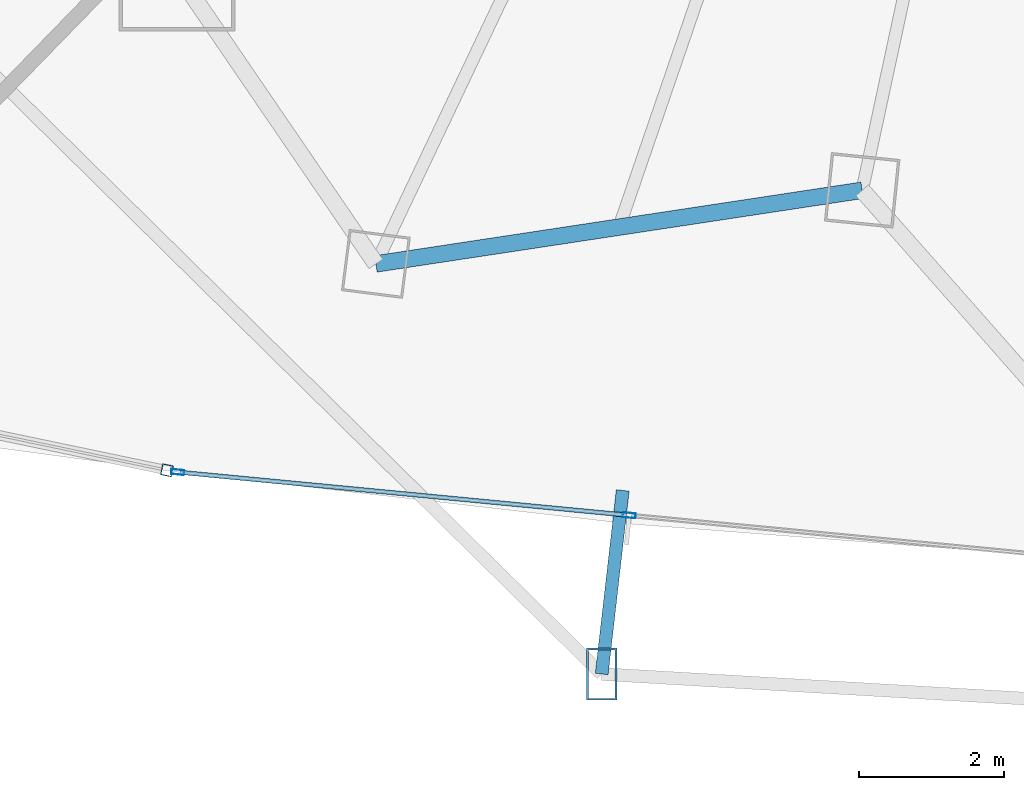
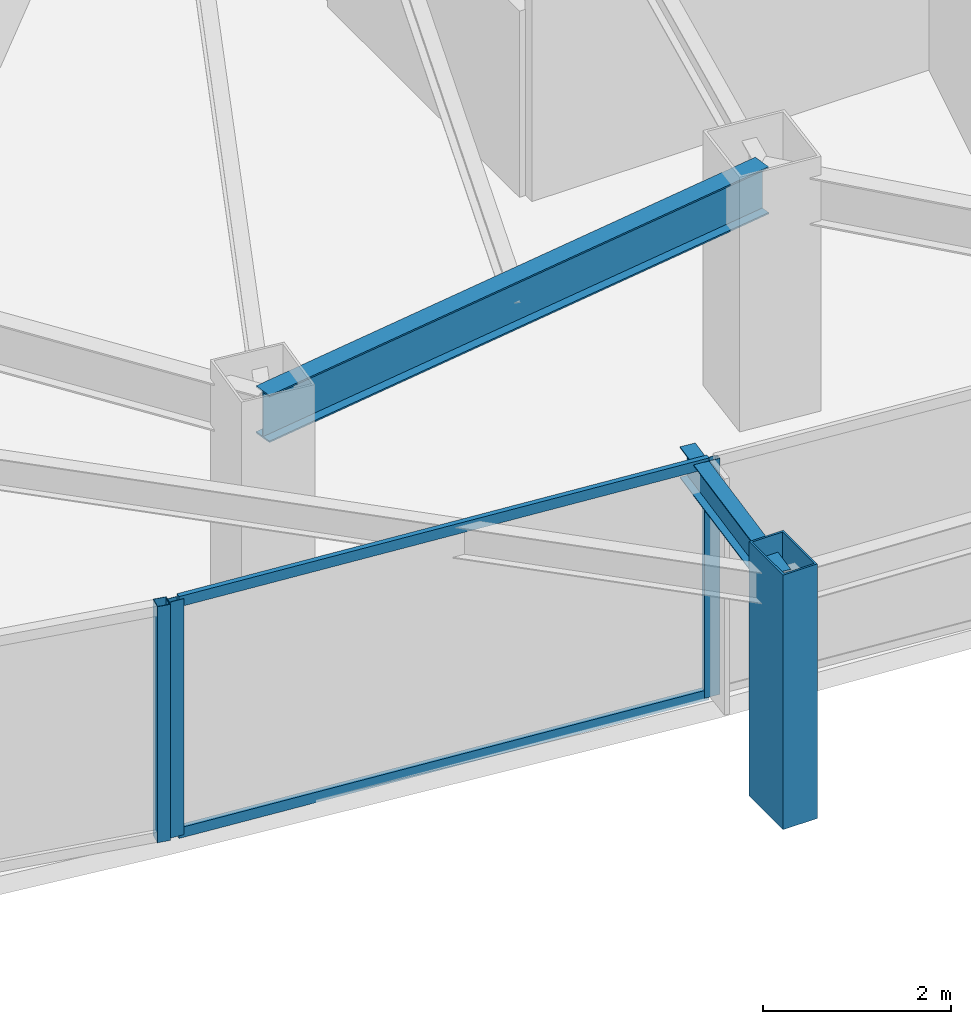
# One storey, part 4 of 33: 6 members, 2 beams, 2 elements without a shape of their own.
"""IFC4 building model written with IfcOpenShell, lengths in metres."""

from ifc_helpers import new_model, si_unit, direction, frame, origin, origin_2d, place, context, subcontext, project, spatial, hollow_rectangle, i_section, extrude, material, layer, layer_set, material_profile, profile_set, type_object, element, aggregate, save


model = new_model("IFC4")

# Units and contexts
model_context = context("Model", 3, precision=1e-05, world=origin(), true_north=direction((0.0, 1.0)))
body_context = subcontext(model_context, "Body", "Model", "MODEL_VIEW")
ifc_project = project(units=[si_unit("LENGTHUNIT", "METRE"), si_unit("AREAUNIT", "SQUARE_METRE"), si_unit("VOLUMEUNIT", "CUBIC_METRE"), si_unit("PLANEANGLEUNIT", "RADIAN"), si_unit("MASSUNIT", "GRAM", prefix="KILO")], contexts=[model_context])

# Site, building, storey
site_placement = place(None, origin())
site = spatial("IfcSite", under=ifc_project, at=site_placement, CompositionType="ELEMENT")
building_placement = place(site_placement, origin())
building = spatial("IfcBuilding", under=site, at=building_placement, Name="Orvanel Arch Residences", CompositionType="ELEMENT")
storey_placement = place(building_placement, frame((0.0, 0.0, 84.050048828125)))
storey = spatial("IfcBuildingStorey", under=building, at=storey_placement, Name="L23", CompositionType="ELEMENT", Elevation=84.050048828125)

# Member
ifc_material_1 = material(Name="Structural steel AS/NZS 3678 Grade 350", Category="steel")
ifc_material_profile_1 = material_profile(ifc_material_1, hollow_rectangle(XDim=0.419921875, YDim=0.719970703125, WallThickness=0.02490234375, at=origin_2d()), Name="RHS720x420x25")
ifc_profile_set_1 = profile_set([ifc_material_profile_1], Name="Structural steel AS/NZS 3678 Grade 350")
member_type_1 = type_object("IfcMemberType", Name="CH-720RHS-EXT", PredefinedType="CHORD", material=ifc_profile_set_1)
member_1_placement = place(storey_placement, frame((20.055908203125, 0.681884765625, 0.0), z_axis=(0.0, 0.0, 1.0), x_axis=(1.0, 0.0, 0.0)))
element("IfcMember", 1, at=member_1_placement, inside=storey, type_object=member_type_1, Name="L23 Outer Perimeter Frame Post 05", PredefinedType="CHORD", context=body_context, shape_type="SweptSolid", body=[
    extrude(hollow_rectangle(XDim=0.419921875, YDim=0.719970703125, WallThickness=0.02490234375, at=origin_2d()), origin(), (0.0, 0.0, 1.0), 3.300048828125),
])

# Curtain wall, member
ifc_material_2 = material(Name="Bronze-anodised aluminium AA6063-T6", Category="aluminium")
ifc_layer_1 = layer(ifc_material_2, 0.18994140625)
ifc_layer_set_1 = layer_set([ifc_layer_1], Name="Bronze-anodised aluminium AA6063-T6")
curtain_wall_type_1 = type_object("IfcCurtainWallType", Name="CW5-CRN-SYS", PredefinedType="NOTDEFINED", material=ifc_layer_set_1)
curtain_wall_1_placement = place(storey_placement, origin())
curtain_wall_1 = element("IfcCurtainWall", 2, at=curtain_wall_1_placement, inside=storey, type_object=curtain_wall_type_1, Name="L23 CW5-CRN-SYS Unitised Curtain Wall", PredefinedType="NOTDEFINED")
ifc_material_profile_2 = material_profile(ifc_material_2, hollow_rectangle(XDim=0.14990234375, YDim=0.14990234375, WallThickness=0.0048828125, at=origin_2d()), Name="ALU150x150x5")
ifc_profile_set_2 = profile_set([ifc_material_profile_2], Name="Bronze-anodised aluminium AA6063-T6")
member_type_2 = type_object("IfcMemberType", Name="MUL-150x150", PredefinedType="MULLION", material=ifc_profile_set_2)
member_2_placement = place(storey_placement, frame((14.0595703125, 3.492431640625, 0.0), z_axis=(0.0, 0.0, 1.0), x_axis=(0.204281556473, 0.978912174653, 0.0)))
member_2 = element("IfcMember", 3, at=member_2_placement, type_object=member_type_2, Name="CW-S5 mullion 3", PredefinedType="MULLION", context=body_context, shape_type="SweptSolid", body=[
    extrude(hollow_rectangle(XDim=0.14990234375, YDim=0.14990234375, WallThickness=0.0048828125, at=origin_2d()), origin(), (0.0, 0.0, 1.0), 3.06005859375),
])
aggregate(curtain_wall_1, [member_2])

# Curtain wall, members
ifc_layer_2 = layer(ifc_material_2, 0.179931640625)
ifc_layer_set_2 = layer_set([ifc_layer_2], Name="Bronze-anodised aluminium AA6063-T6")
curtain_wall_type_2 = type_object("IfcCurtainWallType", Name="CW2-LOW-SYS", PredefinedType="NOTDEFINED", material=ifc_layer_set_2)
curtain_wall_2_placement = place(storey_placement, origin())
curtain_wall_2 = element("IfcCurtainWall", 4, at=curtain_wall_2_placement, inside=storey, type_object=curtain_wall_type_2, Name="L23 CW2-LOW-SYS Unitised Curtain Wall", PredefinedType="NOTDEFINED")
ifc_material_profile_3 = material_profile(ifc_material_2, hollow_rectangle(XDim=0.070068359375, YDim=0.179931640625, WallThickness=0.00439453125, at=origin_2d()), Name="ALU180x70x4.5")
ifc_profile_set_3 = profile_set([ifc_material_profile_3], Name="Bronze-anodised aluminium AA6063-T6")
member_type_3 = type_object("IfcMemberType", Name="MUL-180x70", PredefinedType="MULLION", material=ifc_profile_set_3)
member_3_placement = place(storey_placement, frame((14.207763671875, 3.4677734375, 0.0), z_axis=(0.0, 0.0, 1.0), x_axis=(0.095292908754, 0.995449276227, 0.0)))
member_3 = element("IfcMember", 5, at=member_3_placement, type_object=member_type_3, Name="CW-S2 mullion 1", PredefinedType="MULLION", context=body_context, shape_type="SweptSolid", body=[
    extrude(hollow_rectangle(XDim=0.070068359375, YDim=0.179931640625, WallThickness=0.00439453125, at=origin_2d()), origin(), (0.0, 0.0, 1.0), 3.06005859375),
])
member_4_placement = place(storey_placement, frame((20.435546875, 2.87158203125, 0.0), z_axis=(0.0, 0.0, 1.0), x_axis=(0.095292908754, 0.995449276227, 0.0)))
member_4 = element("IfcMember", 6, at=member_4_placement, type_object=member_type_3, Name="CW-S2 mullion 2", PredefinedType="MULLION", context=body_context, shape_type="SweptSolid", body=[
    extrude(hollow_rectangle(XDim=0.070068359375, YDim=0.179931640625, WallThickness=0.00439453125, at=origin_2d()), origin(), (0.0, 0.0, 1.0), 3.06005859375),
])

# Beams
ifc_material_3 = material(Name="Structural steel AS/NZS 3679.1 Grade 300 (300 MPa)", Category="steel")
ifc_material_profile_4 = material_profile(ifc_material_3, i_section(OverallWidth=0.177978515625, OverallDepth=0.406005859375, WebThickness=0.0078125, FlangeThickness=0.0126953125, at=origin_2d()), Name="410UB59.7")
ifc_profile_set_4 = profile_set([ifc_material_profile_4], Name="Structural steel AS/NZS 3679.1 Grade 300 (300 MPa)")
beam_type_1 = type_object("IfcBeamType", Name="OB-410UB-EXT", PredefinedType="SPANDREL", material=ifc_profile_set_4)
beam_1_placement = place(storey_placement, frame((20.345947265625, 3.215087890625, 2.85693359375), z_axis=(-0.113751823907, -0.993509196011, 0.0), x_axis=(0.993509196011, -0.113751823907, 0.0)))
element("IfcBeam", 7, at=beam_1_placement, inside=storey, type_object=beam_type_1, Name="L23 Outer Frame Radial Tie Beam 05", PredefinedType="SPANDREL", context=body_context, shape_type="SweptSolid", body=[
    extrude(i_section(OverallWidth=0.177978515625, OverallDepth=0.406005859375, WebThickness=0.0078125, FlangeThickness=0.0126953125, at=origin_2d()), origin(), (0.0, 0.0, 1.0), 2.5498046875),
])
ifc_material_profile_5 = material_profile(ifc_material_3, i_section(OverallWidth=0.22900390625, OverallDepth=0.612060546875, WebThickness=0.011962890625, FlangeThickness=0.01953125, at=origin_2d()), Name="610UB125")
ifc_profile_set_5 = profile_set([ifc_material_profile_5], Name="Structural steel AS/NZS 3679.1 Grade 300 (300 MPa)")
beam_type_2 = type_object("IfcBeamType", Name="SP-610UB", PredefinedType="SPANDREL", material=ifc_profile_set_5)
beam_2_placement = place(storey_placement, frame((16.94091796875, 6.339111328125, 2.75390625), z_axis=(0.988726323014, 0.149733958002, 0.0), x_axis=(-0.149733958002, 0.988726323014, 0.0)))
element("IfcBeam", 8, at=beam_2_placement, inside=storey, type_object=beam_type_2, Name="L23 Perimeter Spandrel Beam 04", PredefinedType="SPANDREL", context=body_context, shape_type="SweptSolid", body=[
    extrude(i_section(OverallWidth=0.22900390625, OverallDepth=0.612060546875, WebThickness=0.011962890625, FlangeThickness=0.01953125, at=origin_2d()), origin(), (0.0, 0.0, 1.0), 6.784423828125),
])

# Member
ifc_material_profile_6 = material_profile(ifc_material_2, hollow_rectangle(XDim=0.06005859375, YDim=0.135009765625, WallThickness=0.00390625, at=origin_2d()), Name="ALU135x60x4")
ifc_profile_set_6 = profile_set([ifc_material_profile_6], Name="Bronze-anodised aluminium AA6063-T6")
member_type_4 = type_object("IfcMemberType", Name="TRN-135x60", PredefinedType="USERDEFINED", material=ifc_profile_set_6)
member_5_placement = place(storey_placement, frame((14.24267578125, 3.46435546875, 0.030029296875), z_axis=(0.995447632735, -0.095310075449, 0.0), x_axis=(0.095310075449, 0.995447632735, 0.0)))
member_5 = element("IfcMember", 9, at=member_5_placement, type_object=member_type_4, Name="CW-S2 transom 1.1", ObjectType="TRANSOM", PredefinedType="USERDEFINED", context=body_context, shape_type="SweptSolid", body=[
    extrude(hollow_rectangle(XDim=0.06005859375, YDim=0.135009765625, WallThickness=0.00390625, at=origin_2d()), origin(), (0.0, 0.0, 1.0), 6.18603515625),
])

member_6_placement = place(storey_placement, frame((14.24267578125, 3.46435546875, 3.030029296875), z_axis=(0.995447632735, -0.095310075449, 0.0), x_axis=(0.095310075449, 0.995447632735, 0.0)))
member_6 = element("IfcMember", 10, at=member_6_placement, type_object=member_type_4, Name="CW-S2 transom 1.2", ObjectType="TRANSOM", PredefinedType="USERDEFINED", context=body_context, shape_type="SweptSolid", body=[
    extrude(hollow_rectangle(XDim=0.06005859375, YDim=0.135009765625, WallThickness=0.00390625, at=origin_2d()), origin(), (0.0, 0.0, 1.0), 6.18603515625),
])

aggregate(curtain_wall_2, [member_3, member_4, member_5, member_6])

save(model, "model.ifc")
